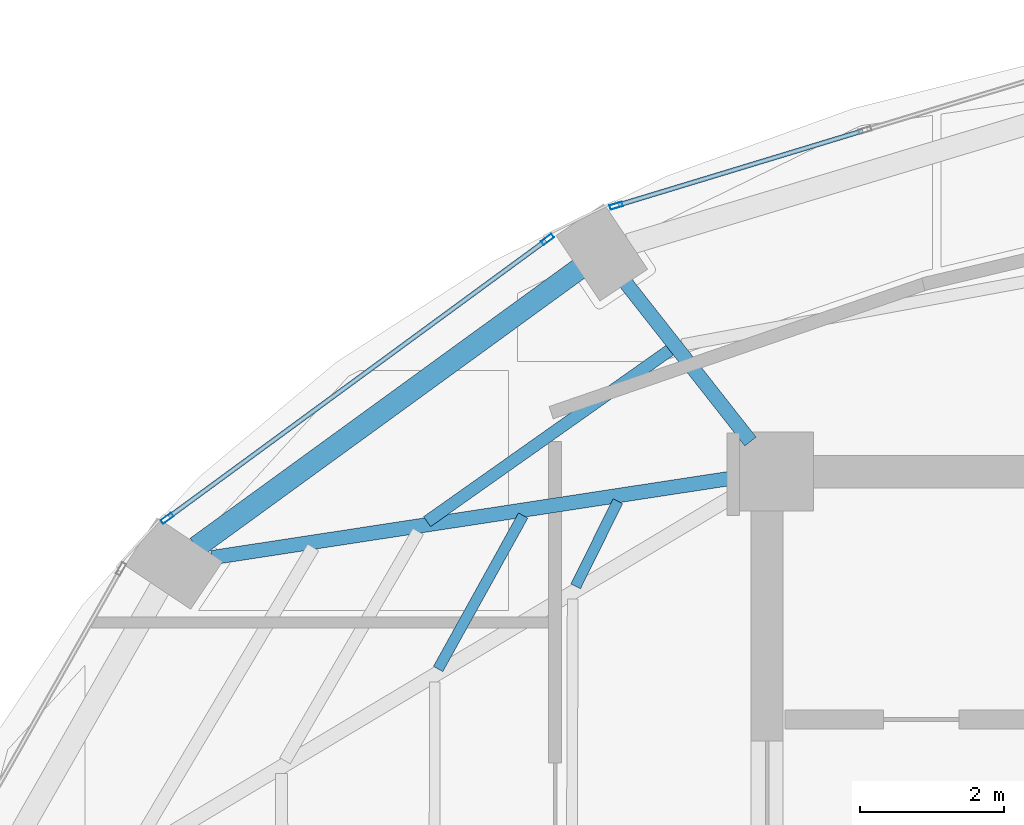
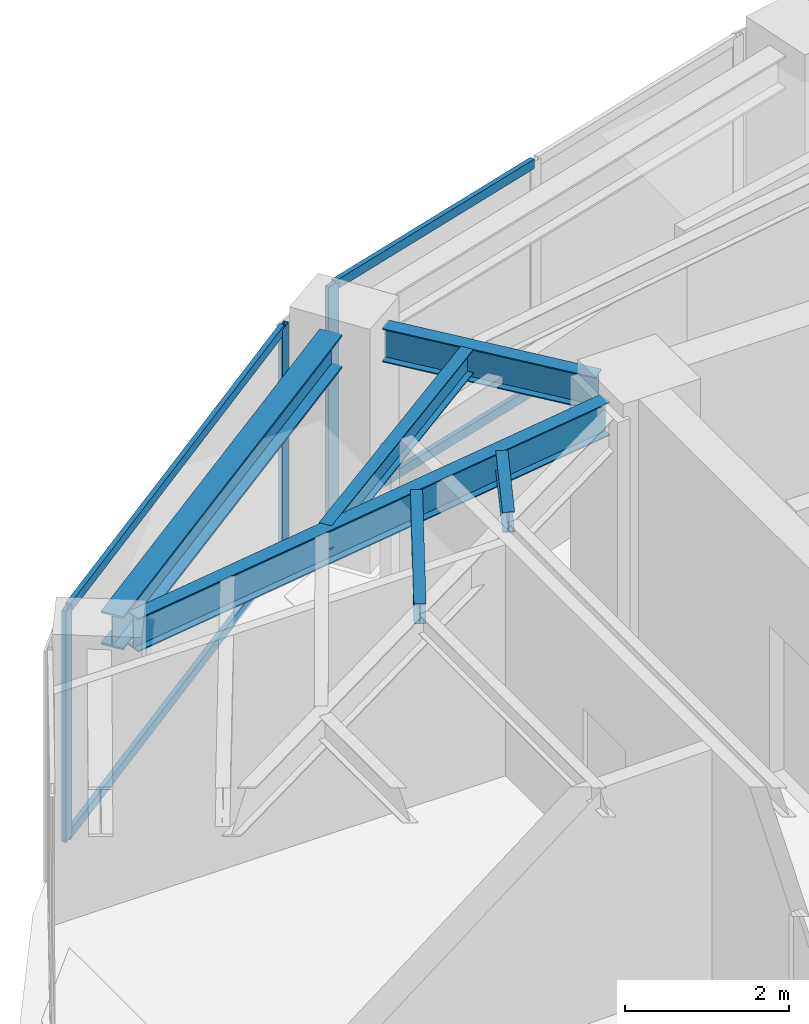
# One storey, part 10 of 23: 7 members, 6 beams, 2 elements without a shape of their own.
"""IFC4 building model written with IfcOpenShell, lengths in metres."""

from ifc_helpers import new_model, si_unit, direction, frame, origin, origin_2d, place, context, subcontext, project, spatial, hollow_rectangle, i_section, extrude, material, layer, layer_set, material_profile, profile_set, type_object, element, aggregate, save


model = new_model("IFC4")

# Units and contexts
model_context = context("Model", 3, precision=1e-05, world=origin(), true_north=direction((0.0, 1.0)))
body_context = subcontext(model_context, "Body", "Model", "MODEL_VIEW")
ifc_project = project(units=[si_unit("LENGTHUNIT", "METRE"), si_unit("AREAUNIT", "SQUARE_METRE"), si_unit("VOLUMEUNIT", "CUBIC_METRE"), si_unit("PLANEANGLEUNIT", "RADIAN"), si_unit("MASSUNIT", "GRAM", prefix="KILO")], contexts=[model_context])

# Site, building, storey
site_placement = place(None, origin())
site = spatial("IfcSite", under=ifc_project, at=site_placement, CompositionType="ELEMENT")
building_placement = place(site_placement, origin())
building = spatial("IfcBuilding", under=site, at=building_placement, Name="Lazwardi Medical Tower", CompositionType="ELEMENT")
storey_placement = place(building_placement, frame((0.0, 0.0, 231.31201171875)))
storey = spatial("IfcBuildingStorey", under=building, at=storey_placement, Name="L60", CompositionType="ELEMENT", Elevation=231.31201171875)

# Beams
ifc_material_1 = material(Name="Steel S355", Category="steel")
ifc_material_profile_1 = material_profile(ifc_material_1, i_section(OverallWidth=0.300048828125, OverallDepth=0.5, WebThickness=0.014404296875, FlangeThickness=0.028076171875, at=origin_2d()), Name="HEB 500")
ifc_profile_set_1 = profile_set([ifc_material_profile_1], Name="Steel S355")
beam_type_1 = type_object("IfcBeamType", Name="BM-RB-Z4", PredefinedType="BEAM", material=ifc_profile_set_1)
beam_1_placement = place(storey_placement, frame((23.68408203125, 38.4248046875, 3.197998046875), z_axis=(-0.808889916254, -0.587960120571, 0.0), x_axis=(0.587960120571, -0.808889916254, 0.0)))
element("IfcBeam", 1, at=beam_1_placement, inside=storey, type_object=beam_type_1, Name="Ring beam RB-05 B10 L60", PredefinedType="BEAM", context=body_context, shape_type="SweptSolid", body=[
    extrude(i_section(OverallWidth=0.300048828125, OverallDepth=0.5, WebThickness=0.014404296875, FlangeThickness=0.028076171875, at=origin_2d()), origin(), (0.0, 0.0, 1.0), 6.587158203125),
])
ifc_material_profile_2 = material_profile(ifc_material_1, i_section(OverallWidth=0.199951171875, OverallDepth=0.5, WebThickness=0.01025390625, FlangeThickness=0.01611328125, at=origin_2d()), Name="IPE 500")
ifc_profile_set_2 = profile_set([ifc_material_profile_2], Name="Steel S355")
beam_type_2 = type_object("IfcBeamType", Name="BM-RG-W3", PredefinedType="BEAM", material=ifc_profile_set_2)
beam_2_placement = place(storey_placement, frame((24.330322265625, 38.2333984375, 3.197998046875), z_axis=(0.617890508382, -0.786264153864, 0.0), x_axis=(0.786264153864, 0.617890508382, 0.0)))
element("IfcBeam", 2, at=beam_2_placement, inside=storey, type_object=beam_type_2, Name="Radial girder RG-04 R10 L60", PredefinedType="BEAM", context=body_context, shape_type="SweptSolid", body=[
    extrude(i_section(OverallWidth=0.199951171875, OverallDepth=0.5, WebThickness=0.01025390625, FlangeThickness=0.01611328125, at=origin_2d()), origin(), (0.0, 0.0, 1.0), 2.814453125),
])
beam_3_placement = place(storey_placement, frame((18.569091796875, 34.4033203125, 3.197998046875), z_axis=(0.988522137285, 0.151076087115, 0.0), x_axis=(-0.151076087115, 0.988522137285, 0.0)))
element("IfcBeam", 3, at=beam_3_placement, inside=storey, type_object=beam_type_2, Name="Radial girder RG-04 R11 L60", PredefinedType="BEAM", context=body_context, shape_type="SweptSolid", body=[
    extrude(i_section(OverallWidth=0.199951171875, OverallDepth=0.5, WebThickness=0.01025390625, FlangeThickness=0.01611328125, at=origin_2d()), origin(), (0.0, 0.0, 1.0), 7.38671875),
])
ifc_material_profile_3 = material_profile(ifc_material_1, i_section(OverallWidth=0.169921875, OverallDepth=0.360107421875, WebThickness=0.008056640625, FlangeThickness=0.0126953125, at=origin_2d()), Name="IPE 360")
ifc_profile_set_3 = profile_set([ifc_material_profile_3], Name="Steel S355")
beam_type_3 = type_object("IfcBeamType", Name="BM-SJ-02", PredefinedType="JOIST", material=ifc_profile_set_3)
beam_4_placement = place(storey_placement, frame((24.948486328125, 37.29345703125, 3.26806640625), z_axis=(-0.816711190406, -0.577046645832, 0.0), x_axis=(0.577046645832, -0.816711190406, 0.0)))
element("IfcBeam", 4, at=beam_4_placement, inside=storey, type_object=beam_type_3, Name="Secondary joist SJ-02 R2 B10 L60", PredefinedType="JOIST", context=body_context, shape_type="SweptSolid", body=[
    extrude(i_section(OverallWidth=0.169921875, OverallDepth=0.360107421875, WebThickness=0.008056640625, FlangeThickness=0.0126953125, at=origin_2d()), origin(), (0.0, 0.0, 1.0), 4.139892578125),
])
ifc_material_profile_4 = material_profile(ifc_material_1, i_section(OverallWidth=0.14990234375, OverallDepth=0.300048828125, WebThickness=0.007080078125, FlangeThickness=0.0107421875, at=origin_2d()), Name="IPE 300")
ifc_profile_set_4 = profile_set([ifc_material_profile_4], Name="Steel S355")
beam_type_4 = type_object("IfcBeamType", Name="BM-SJ-03", PredefinedType="JOIST", material=ifc_profile_set_4)
beam_5_placement = place(storey_placement, frame((22.904296875, 34.98974609375, 3.298095703125), z_axis=(-0.484751625998, -0.874651851363, 0.0), x_axis=(0.874651851363, -0.484751625998, 0.0)))
element("IfcBeam", 5, at=beam_5_placement, inside=storey, type_object=beam_type_4, Name="Secondary joist SJ-03 R3 B11 L60", PredefinedType="JOIST", context=body_context, shape_type="SweptSolid", body=[
    extrude(i_section(OverallWidth=0.14990234375, OverallDepth=0.300048828125, WebThickness=0.007080078125, FlangeThickness=0.0107421875, at=origin_2d()), origin(), (0.0, 0.0, 1.0), 2.442626953125),
])
beam_6_placement = place(storey_placement, frame((24.222412109375, 35.188720703125, 3.298095703125), z_axis=(-0.443587297772, -0.89623116954, 0.0), x_axis=(0.89623116954, -0.443587297772, 0.0)))
element("IfcBeam", 6, at=beam_6_placement, inside=storey, type_object=beam_type_4, Name="Secondary joist SJ-03 R4 B11 L60", PredefinedType="JOIST", context=body_context, shape_type="SweptSolid", body=[
    extrude(i_section(OverallWidth=0.14990234375, OverallDepth=0.300048828125, WebThickness=0.007080078125, FlangeThickness=0.0107421875, at=origin_2d()), origin(), (0.0, 0.0, 1.0), 1.32080078125),
])

# Curtain wall, member
ifc_material_2 = material(Name="Anodised bronze aluminium and solar control glazing", Category="aluminium")
ifc_layer = layer(ifc_material_2, 0.18994140625)
ifc_layer_set = layer_set([ifc_layer], Name="Anodised bronze aluminium and solar control glazing")
curtain_wall_type = type_object("IfcCurtainWallType", Name="CW-SYS-04", PredefinedType="NOTDEFINED", material=ifc_layer_set)
curtain_wall_1_placement = place(storey_placement, origin())
curtain_wall_1 = element("IfcCurtainWall", 7, at=curtain_wall_1_placement, inside=storey, type_object=curtain_wall_type, Name="L60 Unitised bronze curtain wall CW-04", PredefinedType="NOTDEFINED")
ifc_material_3 = material(Name="Anodised bronze aluminium", Category="aluminium")
ifc_material_profile_5 = material_profile(ifc_material_3, hollow_rectangle(XDim=0.06494140625, YDim=0.179931640625, WallThickness=0.00390625, at=origin_2d()), Name="ALU-MULLION 180x65x4")
ifc_profile_set_5 = profile_set([ifc_material_profile_5], Name="Anodised bronze aluminium")
member_type_1 = type_object("IfcMemberType", Name="CW-MUL-03", PredefinedType="MULLION", material=ifc_profile_set_5)
member_1_placement = place(storey_placement, frame((24.2001953125, 39.303466796875, 0.0), z_axis=(0.0, 0.0, 1.0), x_axis=(0.290581889515, -0.956850126972, 0.0)))
member_1 = element("IfcMember", 8, at=member_1_placement, type_object=member_type_1, Name="CW-04 mullion 3", PredefinedType="MULLION", context=body_context, shape_type="SweptSolid", body=[
    extrude(hollow_rectangle(XDim=0.06494140625, YDim=0.179931640625, WallThickness=0.00390625, at=origin_2d()), origin(), (0.0, 0.0, 1.0), 3.447998046875),
])

# Curtain wall, members
curtain_wall_2_placement = place(storey_placement, origin())
curtain_wall_2 = element("IfcCurtainWall", 9, at=curtain_wall_2_placement, inside=storey, type_object=curtain_wall_type, Name="L60 Unitised bronze curtain wall CW-04", PredefinedType="NOTDEFINED")
member_2_placement = place(storey_placement, frame((23.24462890625, 38.8349609375, 0.0), z_axis=(0.0, 0.0, 1.0), x_axis=(0.591268230971, -0.806474971121, 0.0)))
member_2 = element("IfcMember", 10, at=member_2_placement, type_object=member_type_1, Name="CW-04 mullion 1", PredefinedType="MULLION", context=body_context, shape_type="SweptSolid", body=[
    extrude(hollow_rectangle(XDim=0.06494140625, YDim=0.179931640625, WallThickness=0.00390625, at=origin_2d()), origin(), (0.0, 0.0, 1.0), 3.447998046875),
])
member_3_placement = place(storey_placement, frame((17.947998046875, 34.95166015625, 0.0), z_axis=(0.0, 0.0, 1.0), x_axis=(0.591268230971, -0.806474971121, 0.0)))
member_3 = element("IfcMember", 11, at=member_3_placement, type_object=member_type_1, Name="CW-04 mullion 2", PredefinedType="MULLION", context=body_context, shape_type="SweptSolid", body=[
    extrude(hollow_rectangle(XDim=0.06494140625, YDim=0.179931640625, WallThickness=0.00390625, at=origin_2d()), origin(), (0.0, 0.0, 1.0), 3.447998046875),
])

# Member
ifc_material_profile_6 = material_profile(ifc_material_3, hollow_rectangle(XDim=0.06494140625, YDim=0.139892578125, WallThickness=0.00341796875, at=origin_2d()), Name="ALU-TRANSOM 140x65x3.5")
ifc_profile_set_6 = profile_set([ifc_material_profile_6], Name="Anodised bronze aluminium")
member_type_2 = type_object("IfcMemberType", Name="CW-TRN-03", PredefinedType="USERDEFINED", material=ifc_profile_set_6)
member_4_placement = place(storey_placement, frame((27.632568359375, 40.345947265625, 0.032470703125), z_axis=(-0.956843409009, -0.290604010015, 0.0), x_axis=(0.290604010015, -0.956843409009, 0.0)))
member_4 = element("IfcMember", 12, at=member_4_placement, type_object=member_type_2, Name="CW-04 transom 2.1", ObjectType="TRANSOM", PredefinedType="USERDEFINED", context=body_context, shape_type="SweptSolid", body=[
    extrude(hollow_rectangle(XDim=0.06494140625, YDim=0.139892578125, WallThickness=0.00341796875, at=origin_2d()), origin(), (0.0, 0.0, 1.0), 3.554443359375),
])

member_5_placement = place(storey_placement, frame((27.632568359375, 40.345947265625, 3.41552734375), z_axis=(-0.956843409009, -0.290604010015, 0.0), x_axis=(0.290604010015, -0.956843409009, 0.0)))
member_5 = element("IfcMember", 13, at=member_5_placement, type_object=member_type_2, Name="CW-04 transom 2.2", ObjectType="TRANSOM", PredefinedType="USERDEFINED", context=body_context, shape_type="SweptSolid", body=[
    extrude(hollow_rectangle(XDim=0.06494140625, YDim=0.139892578125, WallThickness=0.00341796875, at=origin_2d()), origin(), (0.0, 0.0, 1.0), 3.554443359375),
])

aggregate(curtain_wall_1, [member_1, member_4, member_5])

member_6_placement = place(storey_placement, frame((23.218505859375, 38.815673828125, 0.032470703125), z_axis=(-0.80648973359, -0.591248094808, 0.0), x_axis=(0.591248094808, -0.80648973359, 0.0)))
member_6 = element("IfcMember", 14, at=member_6_placement, type_object=member_type_2, Name="CW-04 transom 1.1", ObjectType="TRANSOM", PredefinedType="USERDEFINED", context=body_context, shape_type="SweptSolid", body=[
    extrude(hollow_rectangle(XDim=0.06494140625, YDim=0.139892578125, WallThickness=0.00341796875, at=origin_2d()), origin(), (0.0, 0.0, 1.0), 6.502685546875),
])

member_7_placement = place(storey_placement, frame((23.218505859375, 38.815673828125, 3.41552734375), z_axis=(-0.80648973359, -0.591248094808, 0.0), x_axis=(0.591248094808, -0.80648973359, 0.0)))
member_7 = element("IfcMember", 15, at=member_7_placement, type_object=member_type_2, Name="CW-04 transom 1.2", ObjectType="TRANSOM", PredefinedType="USERDEFINED", context=body_context, shape_type="SweptSolid", body=[
    extrude(hollow_rectangle(XDim=0.06494140625, YDim=0.139892578125, WallThickness=0.00341796875, at=origin_2d()), origin(), (0.0, 0.0, 1.0), 6.502685546875),
])

aggregate(curtain_wall_2, [member_2, member_3, member_6, member_7])

save(model, "model.ifc")
